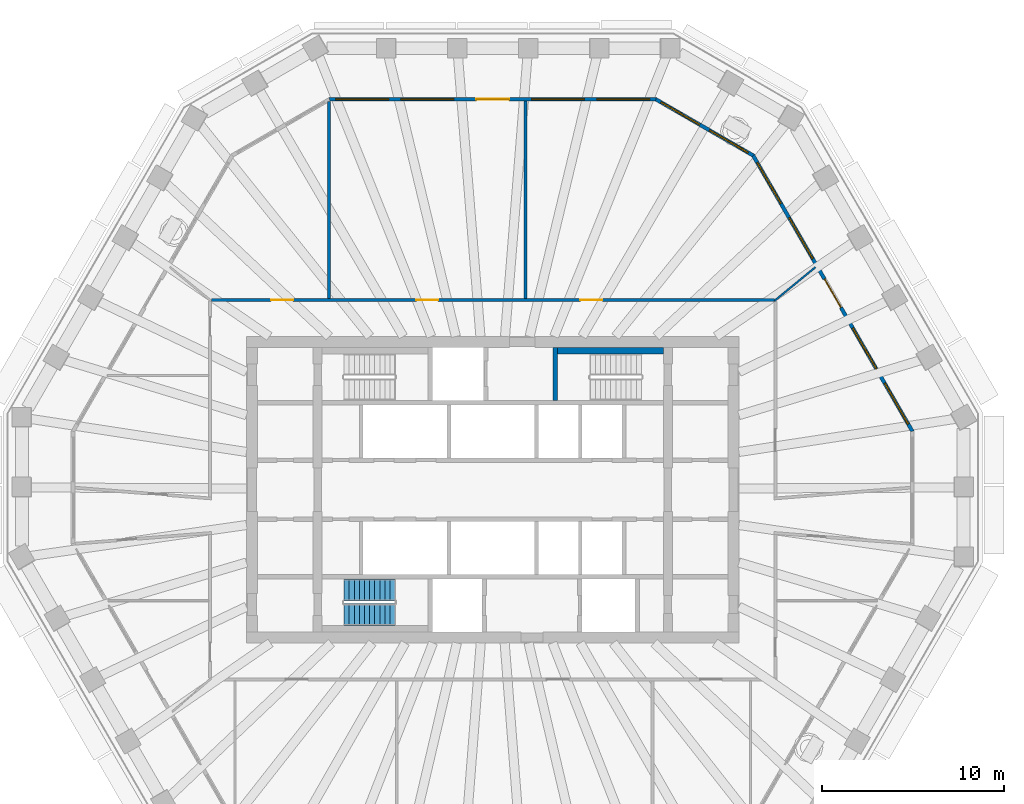
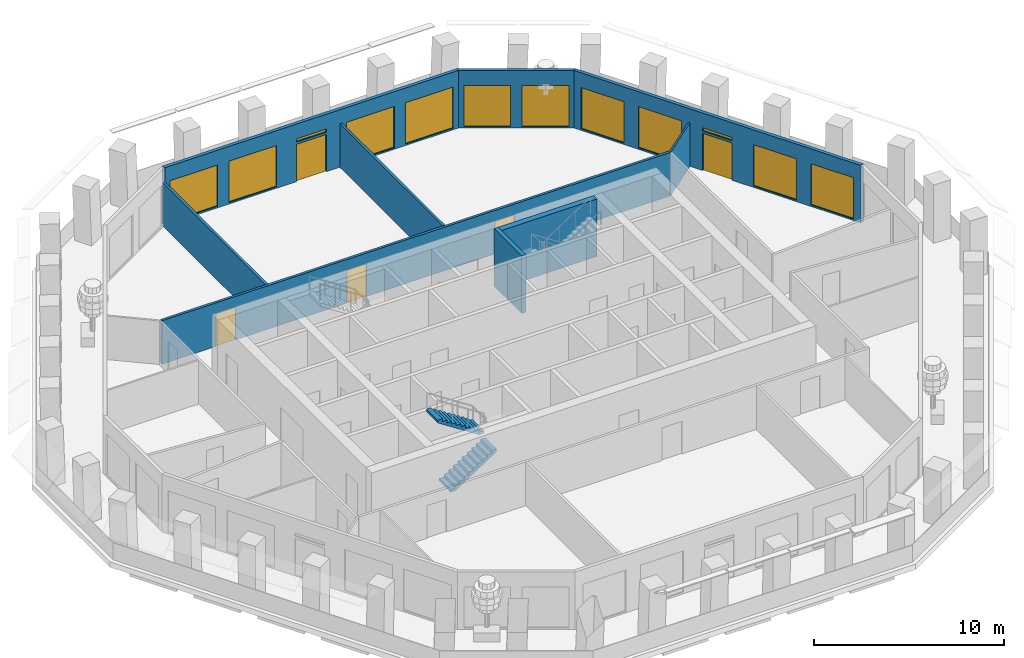
# One storey, part 7 of 12: 12 windows, 9 walls, 5 doors, 2 stair flights, 17 openings, 1 element without a shape of its own.
"""IFC4 building model written with IfcOpenShell, lengths in metres."""

from ifc_helpers import new_model, si_unit, direction, frame, frame_2d, origin, place, context, subcontext, project, spatial, polyline, rectangle, outline, extrude, material, layer, layer_set, type_object, element, fill, aggregate, save


model = new_model("IFC4")

# Units and contexts
model_context = context("Model", 3, precision=1e-05, world=origin(), true_north=direction((0.0, 1.0)))
body_context = subcontext(model_context, "Body", "Model", "MODEL_VIEW")
ifc_project = project(units=[si_unit("LENGTHUNIT", "METRE"), si_unit("AREAUNIT", "SQUARE_METRE"), si_unit("VOLUMEUNIT", "CUBIC_METRE"), si_unit("PLANEANGLEUNIT", "RADIAN"), si_unit("MASSUNIT", "GRAM", prefix="KILO")], contexts=[model_context])

# Site, building, storey
site_placement = place(None, origin())
site = spatial("IfcSite", under=ifc_project, at=site_placement, CompositionType="ELEMENT")
building_placement = place(site_placement, origin())
building = spatial("IfcBuilding", under=site, at=building_placement, Name="Frailejon Research Tower", CompositionType="ELEMENT")
storey_placement = place(building_placement, frame((0.0, 0.0, 215.39990234375)))
storey = spatial("IfcBuildingStorey", under=building, at=storey_placement, Name="L46", CompositionType="ELEMENT", Elevation=215.39990234375)

# Wall, openings, doors
ifc_material_1 = material(Name="Gypsum board and masonry partition", Category="masonry")
ifc_layer_1 = layer(ifc_material_1, 0.14990234375)
ifc_layer_set_1 = layer_set([ifc_layer_1], Name="Corridor wall EI 60, gypsum on steel studs 150")
wall_type_1 = type_object("IfcWallType", Name="Corridor wall EI 60, gypsum on steel studs 150", PredefinedType="PARTITIONING", material=ifc_layer_set_1)
wall_1_placement = place(storey_placement, frame((-15.425048828125, 10.39990234375, 0.0), z_axis=(0.0, 0.0, 1.0), x_axis=(1.0, 0.0, 0.0)))
wall_1 = element("IfcWall", 1, at=wall_1_placement, inside=storey, type_object=wall_type_1, Name="T:IW:L46:003", PredefinedType="PARTITIONING", context=body_context, shape_type="SweptSolid", body=[
    extrude(rectangle(XDim=30.875, YDim=0.14990234375, at=frame_2d((15.4375, 0.0))), origin(), (0.0, 0.0, 1.0), 2.800048828125),
])
opening_1_placement = place(wall_1_placement, frame((20.233642578125, 0.0, 0.0)))
opening_1 = element("IfcOpeningElement", 2, at=opening_1_placement, cuts=wall_1, Name="Opening D1949", PredefinedType="OPENING", context=body_context, shape_type="SweptSolid", body=[
    extrude(rectangle(XDim=1.199951171875, YDim=2.10009765625, at=frame_2d((0.60009765625, 1.050048828125))), frame((0.0, 0.0849609375, 0.0), z_axis=(0.0, -1.0, 0.0), x_axis=(1.0, 0.0, 0.0)), (0.0, 0.0, 1.0), 0.169921875),
])
opening_2_placement = place(wall_1_placement, frame((11.235107421875, 0.0, 0.0)))
opening_2 = element("IfcOpeningElement", 3, at=opening_2_placement, cuts=wall_1, Name="Opening D1950", PredefinedType="OPENING", context=body_context, shape_type="SweptSolid", body=[
    extrude(rectangle(XDim=1.199951171875, YDim=2.10009765625, at=frame_2d((0.60009765625, 1.050048828125))), frame((0.0, 0.0849609375, 0.0), z_axis=(0.0, -1.0, 0.0), x_axis=(1.0, 0.0, 0.0)), (0.0, 0.0, 1.0), 0.169921875),
])
opening_3_placement = place(wall_1_placement, frame((3.28125, 0.0, 0.0)))
opening_3 = element("IfcOpeningElement", 4, at=opening_3_placement, cuts=wall_1, Name="Opening D1951", PredefinedType="OPENING", context=body_context, shape_type="SweptSolid", body=[
    extrude(rectangle(XDim=1.199951171875, YDim=2.10009765625, at=frame_2d((0.60009765625, 1.050048828125))), frame((0.0, 0.0849609375, 0.0), z_axis=(0.0, -1.0, 0.0), x_axis=(1.0, 0.0, 0.0)), (0.0, 0.0, 1.0), 0.169921875),
])
ifc_material_2 = material(Name="Timber door leaf", Category="wood")
door_type_1 = type_object("IfcDoorType", Name="Door laboratory, timber, vision panel 1200", OperationType="NOTDEFINED", PredefinedType="DOOR", material=ifc_material_2)
door_1_placement = place(opening_2_placement, origin())
door_1 = element("IfcDoor", 5, at=door_1_placement, inside=storey, type_object=door_type_1, Name="D1950", OperationType="DOUBLE_DOOR_SINGLE_SWING", OverallHeight=2.10009765625, OverallWidth=1.199951171875, PredefinedType="DOOR", context=body_context, shape_type="SweptSolid", body=[
    extrude(rectangle(XDim=1.199951171875, YDim=2.10009765625, at=frame_2d((0.60009765625, 1.050048828125))), frame((0.0, 0.02490234375, 0.0), z_axis=(0.0, -1.0, 0.0), x_axis=(1.0, 0.0, 0.0)), (0.0, 0.0, 1.0), 0.050048828125),
])
fill(opening_2, door_1)
ifc_material_3 = material(Name="Timber door leaf", Category="wood")
door_type_2 = type_object("IfcDoorType", Name="Door single leaf, timber, steel frame 1200", OperationType="NOTDEFINED", PredefinedType="DOOR", material=ifc_material_3)
door_2_placement = place(opening_1_placement, origin())
door_2 = element("IfcDoor", 6, at=door_2_placement, inside=storey, type_object=door_type_2, Name="D1949", OperationType="DOUBLE_DOOR_SINGLE_SWING", OverallHeight=2.10009765625, OverallWidth=1.199951171875, PredefinedType="DOOR", context=body_context, shape_type="SweptSolid", body=[
    extrude(rectangle(XDim=1.199951171875, YDim=2.10009765625, at=frame_2d((0.60009765625, 1.050048828125))), frame((0.0, 0.02490234375, 0.0), z_axis=(0.0, -1.0, 0.0), x_axis=(1.0, 0.0, 0.0)), (0.0, 0.0, 1.0), 0.050048828125),
])
fill(opening_1, door_2)
door_3_placement = place(opening_3_placement, origin())
door_3 = element("IfcDoor", 7, at=door_3_placement, inside=storey, type_object=door_type_2, Name="D1951", OperationType="DOUBLE_DOOR_SINGLE_SWING", OverallHeight=2.10009765625, OverallWidth=1.199951171875, PredefinedType="DOOR", context=body_context, shape_type="SweptSolid", body=[
    extrude(rectangle(XDim=1.199951171875, YDim=2.10009765625, at=frame_2d((0.60009765625, 1.050048828125))), frame((0.0, 0.02490234375, 0.0), z_axis=(0.0, -1.0, 0.0), x_axis=(1.0, 0.0, 0.0)), (0.0, 0.0, 1.0), 0.050048828125),
])
fill(opening_3, door_3)

# Walls
ifc_material_4 = material(Name="Gypsum board and masonry partition", Category="masonry")
ifc_layer_2 = layer(ifc_material_4, 0.14990234375)
ifc_layer_set_2 = layer_set([ifc_layer_2], Name="Laboratory partition, blockwork 150")
wall_type_2 = type_object("IfcWallType", Name="Laboratory partition, blockwork 150", PredefinedType="PARTITIONING", material=ifc_layer_set_2)
wall_2_placement = place(storey_placement, frame((1.794921875, 10.47509765625, 0.0), z_axis=(0.0, 0.0, 1.0), x_axis=(0.0, 1.0, 0.0)))
element("IfcWall", 8, at=wall_2_placement, inside=storey, type_object=wall_type_2, Name="T:IW:L46:011", PredefinedType="PARTITIONING", context=body_context, shape_type="SweptSolid", body=[
    extrude(rectangle(XDim=10.824951171875, YDim=0.14990234375, at=frame_2d((5.41259765625, 0.0))), origin(), (0.0, 0.0, 1.0), 2.800048828125),
])
wall_3_placement = place(storey_placement, frame((-8.974853515625, 10.47509765625, 0.0), z_axis=(0.0, 0.0, 1.0), x_axis=(0.0, 1.0, 0.0)))
element("IfcWall", 9, at=wall_3_placement, inside=storey, type_object=wall_type_2, Name="T:IW:L46:012", PredefinedType="PARTITIONING", context=body_context, shape_type="SweptSolid", body=[
    extrude(rectangle(XDim=10.7939453125, YDim=0.14990234375, at=frame_2d((5.39697265625, 0.0))), origin(), (0.0, 0.0, 1.0), 2.800048828125),
])
ifc_material_5 = material(Name="Gypsum board and masonry partition", Category="masonry")
ifc_layer_3 = layer(ifc_material_5, 0.10009765625)
ifc_layer_set_3 = layer_set([ifc_layer_3], Name="Partition, gypsum on steel studs 100")
wall_type_3 = type_object("IfcWallType", Name="Partition, gypsum on steel studs 100", PredefinedType="PARTITIONING", material=ifc_layer_set_3)
wall_4_placement = place(storey_placement, frame((15.44189453125, 10.352294921875, 0.0), z_axis=(0.0, 0.0, 1.0), x_axis=(0.773188128528, 0.634176724504, 0.0)))
element("IfcWall", 10, at=wall_4_placement, inside=storey, type_object=wall_type_3, Name="T:IW:L46:015", PredefinedType="PARTITIONING", context=body_context, shape_type="SweptSolid", body=[
    extrude(rectangle(XDim=2.915283203125, YDim=0.10009765625, at=frame_2d((1.45751953125, 0.0))), origin(), (0.0, 0.0, 1.0), 2.800048828125),
])
ifc_material_6 = material(Name="Concrete C60/75", Category="concrete")
ifc_layer_4 = layer(ifc_material_6, 0.25)
ifc_layer_set_4 = layer_set([ifc_layer_4], Name="Shaft wall 250 C60/75")
wall_type_4 = type_object("IfcWallType", Name="Shaft wall 250 C60/75", PredefinedType="SOLIDWALL", material=ifc_layer_set_4)
wall_5_placement = place(storey_placement, frame((3.425048828125, 4.89990234375, 0.0), z_axis=(0.0, 0.0, 1.0), x_axis=(0.0, 1.0, 0.0)))
element("IfcWall", 11, at=wall_5_placement, inside=storey, type_object=wall_type_4, Name="Shaft wall", PredefinedType="SOLIDWALL", context=body_context, shape_type="SweptSolid", body=[
    extrude(rectangle(XDim=2.900146484375, YDim=0.25, at=frame_2d((1.4501953125, 0.0))), origin(), (0.0, 0.0, 1.0), 3.7001953125),
])
ifc_material_7 = material(Name="Concrete C60/75", Category="concrete")
ifc_layer_5 = layer(ifc_material_7, 0.35009765625)
ifc_layer_set_5 = layer_set([ifc_layer_5], Name="Shaft wall 350 C60/75")
wall_type_5 = type_object("IfcWallType", Name="Shaft wall 350 C60/75", PredefinedType="SOLIDWALL", material=ifc_layer_set_5)
wall_6_placement = place(storey_placement, frame((3.550048828125, 7.625, 0.0), z_axis=(0.0, 0.0, 1.0), x_axis=(1.0, 0.0, 0.0)))
element("IfcWall", 12, at=wall_6_placement, inside=storey, type_object=wall_type_5, Name="Shaft wall", PredefinedType="SOLIDWALL", context=body_context, shape_type="SweptSolid", body=[
    extrude(rectangle(XDim=5.800048828125, YDim=0.35009765625, at=frame_2d((2.89990234375, 0.0))), origin(), (0.0, 0.0, 1.0), 3.7001953125),
])

# Wall, openings, door, windows
ifc_material_8 = material(Name="Concrete C40/50 precast window wall panel", Category="concrete")
ifc_layer_6 = layer(ifc_material_8, 0.199951171875)
ifc_layer_set_6 = layer_set([ifc_layer_6], Name="Window wall 200")
wall_type_6 = type_object("IfcWallType", Name="Window wall 200", PredefinedType="SOLIDWALL", material=ifc_layer_set_6)
wall_7_placement = place(storey_placement, frame((23.007080078125, 3.2021484375, 0.0), z_axis=(0.0, 0.0, 1.0), x_axis=(-0.500006883229, 0.866021429714, 0.0)))
wall_7 = element("IfcWall", 13, at=wall_7_placement, inside=storey, type_object=wall_type_6, Name="Exterior wall L46", PredefinedType="SOLIDWALL", context=body_context, shape_type="SweptSolid", body=[
    extrude(outline(polyline([(-0.02685546875, -0.10009765625), (1.00341796875, -0.10009765625), (2.03369140625, -0.10009765625), (3.06396484375, -0.10009765625), (4.09423828125, -0.10009765625), (5.12451171875, -0.10009765625), (6.15478515625, -0.10009765625), (7.18505859375, -0.10009765625), (8.21533203125, -0.10009765625), (9.245361328125, -0.10009765625), (10.275634765625, -0.10009765625), (11.305908203125, -0.10009765625), (12.336181640625, -0.10009765625), (13.366455078125, -0.10009765625), (14.396728515625, -0.10009765625), (15.427001953125, -0.10009765625), (16.457275390625, -0.10009765625), (17.487548828125, -0.10009765625), (17.433837890625, 0.10009765625), (16.409912109375, 0.10009765625), (15.385986328125, 0.10009765625), (14.362060546875, 0.10009765625), (13.338134765625, 0.10009765625), (12.314208984375, 0.10009765625), (11.290283203125, 0.10009765625), (10.266357421875, 0.10009765625), (9.242431640625, 0.10009765625), (8.21826171875, 0.10009765625), (7.1943359375, 0.10009765625), (6.17041015625, 0.10009765625), (5.146484375, 0.10009765625), (4.12255859375, 0.10009765625), (3.0986328125, 0.10009765625), (2.07470703125, 0.10009765625), (1.05078125, 0.10009765625), (0.02685546875, 0.10009765625), (-0.02685546875, -0.10009765625)])), origin(), (0.0, 0.0, 1.0), 3.7001953125),
])
opening_4_placement = place(wall_7_placement, frame((0.446044921875, 0.0, 0.10009765625)))
opening_4 = element("IfcOpeningElement", 14, at=opening_4_placement, cuts=wall_7, Name="Opening W18", PredefinedType="OPENING", context=body_context, shape_type="SweptSolid", body=[
    extrude(rectangle(XDim=2.60009765625, YDim=2.64990234375, at=frame_2d((1.300048828125, 1.324951171875))), frame((0.0, 0.10986328125, 0.0), z_axis=(0.0, -1.0, 0.0), x_axis=(1.0, 0.0, 0.0)), (0.0, 0.0, 1.0), 0.219970703125),
])
opening_5_placement = place(wall_7_placement, frame((3.938232421875, 0.0, 0.10009765625)))
opening_5 = element("IfcOpeningElement", 15, at=opening_5_placement, cuts=wall_7, Name="Opening W18", PredefinedType="OPENING", context=body_context, shape_type="SweptSolid", body=[
    extrude(rectangle(XDim=2.60009765625, YDim=2.64990234375, at=frame_2d((1.300048828125, 1.324951171875))), frame((0.0, 0.10986328125, 0.0), z_axis=(0.0, -1.0, 0.0), x_axis=(1.0, 0.0, 0.0)), (0.0, 0.0, 1.0), 0.219970703125),
])
opening_6_placement = place(wall_7_placement, frame((7.830322265625, 0.0, 0.0)))
opening_6 = element("IfcOpeningElement", 16, at=opening_6_placement, cuts=wall_7, Name="Opening LG46-1", PredefinedType="OPENING", context=body_context, shape_type="SweptSolid", body=[
    extrude(rectangle(XDim=1.800048828125, YDim=2.39990234375, at=frame_2d((0.89990234375, 1.199951171875))), frame((0.0, 0.10986328125, 0.0), z_axis=(0.0, -1.0, 0.0), x_axis=(1.0, 0.0, 0.0)), (0.0, 0.0, 1.0), 0.219970703125),
])
opening_7_placement = place(wall_7_placement, frame((7.830322265625, 0.0, 2.550048828125)))
opening_7 = element("IfcOpeningElement", 17, at=opening_7_placement, cuts=wall_7, Name="Opening W19", PredefinedType="OPENING", context=body_context, shape_type="SweptSolid", body=[
    extrude(rectangle(XDim=1.800048828125, YDim=0.199951171875, at=frame_2d((0.89990234375, 0.10009765625))), frame((0.0, 0.10986328125, 0.0), z_axis=(0.0, -1.0, 0.0), x_axis=(1.0, 0.0, 0.0)), (0.0, 0.0, 1.0), 0.219970703125),
])
opening_8_placement = place(wall_7_placement, frame((10.922607421875, 0.0, 0.10009765625)))
opening_8 = element("IfcOpeningElement", 18, at=opening_8_placement, cuts=wall_7, Name="Opening W18", PredefinedType="OPENING", context=body_context, shape_type="SweptSolid", body=[
    extrude(rectangle(XDim=2.60009765625, YDim=2.64990234375, at=frame_2d((1.300048828125, 1.324951171875))), frame((0.0, 0.10986328125, 0.0), z_axis=(0.0, -1.0, 0.0), x_axis=(1.0, 0.0, 0.0)), (0.0, 0.0, 1.0), 0.219970703125),
])
opening_9_placement = place(wall_7_placement, frame((14.41455078125, 0.0, 0.10009765625)))
opening_9 = element("IfcOpeningElement", 19, at=opening_9_placement, cuts=wall_7, Name="Opening W18", PredefinedType="OPENING", context=body_context, shape_type="SweptSolid", body=[
    extrude(rectangle(XDim=2.60009765625, YDim=2.64990234375, at=frame_2d((1.300048828125, 1.324951171875))), frame((0.0, 0.10986328125, 0.0), z_axis=(0.0, -1.0, 0.0), x_axis=(1.0, 0.0, 0.0)), (0.0, 0.0, 1.0), 0.219970703125),
])
ifc_material_9 = material(Name="Aluminium framed glazed door leaf", Category="aluminium")
door_type_3 = type_object("IfcDoorType", Name="Loggia door 1800x2400", OperationType="DOUBLE_DOOR_SINGLE_SWING", PredefinedType="DOOR", material=ifc_material_9)
door_4_placement = place(opening_6_placement, origin())
door_4 = element("IfcDoor", 20, at=door_4_placement, inside=storey, type_object=door_type_3, Name="Door LG46-1", OperationType="DOUBLE_DOOR_SINGLE_SWING", OverallHeight=2.39990234375, OverallWidth=1.800048828125, PredefinedType="DOOR", context=body_context, shape_type="SweptSolid", body=[
    extrude(rectangle(XDim=1.800048828125, YDim=2.39990234375, at=frame_2d((0.89990234375, 1.199951171875))), frame((0.0, 0.02490234375, 0.0), z_axis=(0.0, -1.0, 0.0), x_axis=(1.0, 0.0, 0.0)), (0.0, 0.0, 1.0), 0.050048828125),
])
fill(opening_6, door_4)
ifc_material_10 = material(Name="Aluminium framed double glazing", Category="aluminium")
window_type_1 = type_object("IfcWindowType", Name="Window 1800x200", PartitioningType="SINGLE_PANEL", PredefinedType="WINDOW", material=ifc_material_10)
window_1_placement = place(opening_7_placement, origin())
window_1 = element("IfcWindow", 21, at=window_1_placement, inside=storey, type_object=window_type_1, Name="Window L46", OverallHeight=0.199951171875, OverallWidth=1.800048828125, PartitioningType="SINGLE_PANEL", PredefinedType="WINDOW", context=body_context, shape_type="SweptSolid", body=[
    extrude(rectangle(XDim=1.800048828125, YDim=0.199951171875, at=frame_2d((0.89990234375, 0.10009765625))), frame((0.0, 0.030029296875, 0.0), z_axis=(0.0, -1.0, 0.0), x_axis=(1.0, 0.0, 0.0)), (0.0, 0.0, 1.0), 0.06005859375),
])
fill(opening_7, window_1)
ifc_material_11 = material(Name="Aluminium framed double glazing", Category="aluminium")
window_type_2 = type_object("IfcWindowType", Name="Window 2600x2650", PartitioningType="SINGLE_PANEL", PredefinedType="WINDOW", material=ifc_material_11)
window_2_placement = place(opening_4_placement, origin())
window_2 = element("IfcWindow", 22, at=window_2_placement, inside=storey, type_object=window_type_2, Name="Window L46", OverallHeight=2.64990234375, OverallWidth=2.60009765625, PartitioningType="SINGLE_PANEL", PredefinedType="WINDOW", context=body_context, shape_type="SweptSolid", body=[
    extrude(rectangle(XDim=2.60009765625, YDim=2.64990234375, at=frame_2d((1.300048828125, 1.324951171875))), frame((0.0, 0.030029296875, 0.0), z_axis=(0.0, -1.0, 0.0), x_axis=(1.0, 0.0, 0.0)), (0.0, 0.0, 1.0), 0.06005859375),
])
fill(opening_4, window_2)
window_3_placement = place(opening_5_placement, origin())
window_3 = element("IfcWindow", 23, at=window_3_placement, inside=storey, type_object=window_type_2, Name="Window L46", OverallHeight=2.64990234375, OverallWidth=2.60009765625, PartitioningType="SINGLE_PANEL", PredefinedType="WINDOW", context=body_context, shape_type="SweptSolid", body=[
    extrude(rectangle(XDim=2.60009765625, YDim=2.64990234375, at=frame_2d((1.300048828125, 1.324951171875))), frame((0.0, 0.030029296875, 0.0), z_axis=(0.0, -1.0, 0.0), x_axis=(1.0, 0.0, 0.0)), (0.0, 0.0, 1.0), 0.06005859375),
])
fill(opening_5, window_3)
window_4_placement = place(opening_8_placement, origin())
window_4 = element("IfcWindow", 24, at=window_4_placement, inside=storey, type_object=window_type_2, Name="Window L46", OverallHeight=2.64990234375, OverallWidth=2.60009765625, PartitioningType="SINGLE_PANEL", PredefinedType="WINDOW", context=body_context, shape_type="SweptSolid", body=[
    extrude(rectangle(XDim=2.60009765625, YDim=2.64990234375, at=frame_2d((1.300048828125, 1.324951171875))), frame((0.0, 0.030029296875, 0.0), z_axis=(0.0, -1.0, 0.0), x_axis=(1.0, 0.0, 0.0)), (0.0, 0.0, 1.0), 0.06005859375),
])
fill(opening_8, window_4)
window_5_placement = place(opening_9_placement, origin())
window_5 = element("IfcWindow", 25, at=window_5_placement, inside=storey, type_object=window_type_2, Name="Window L46", OverallHeight=2.64990234375, OverallWidth=2.60009765625, PartitioningType="SINGLE_PANEL", PredefinedType="WINDOW", context=body_context, shape_type="SweptSolid", body=[
    extrude(rectangle(XDim=2.60009765625, YDim=2.64990234375, at=frame_2d((1.300048828125, 1.324951171875))), frame((0.0, 0.030029296875, 0.0), z_axis=(0.0, -1.0, 0.0), x_axis=(1.0, 0.0, 0.0)), (0.0, 0.0, 1.0), 0.06005859375),
])
fill(opening_9, window_5)

# Wall, openings, windows
wall_8_placement = place(storey_placement, frame((14.276611328125, 18.323486328125, 0.0), z_axis=(0.0, 0.0, 1.0), x_axis=(-0.866029647142, 0.499992650217, 0.0)))
wall_8 = element("IfcWall", 26, at=wall_8_placement, inside=storey, type_object=wall_type_6, Name="Exterior wall L46", PredefinedType="SOLIDWALL", context=body_context, shape_type="SweptSolid", body=[
    extrude(outline(polyline([(-0.02685546875, -0.10009765625), (1.007568359375, -0.10009765625), (2.0419921875, -0.10009765625), (3.076416015625, -0.10009765625), (4.11083984375, -0.10009765625), (5.145263671875, -0.10009765625), (6.1796875, -0.10009765625), (6.1259765625, 0.10009765625), (5.109375, 0.10009765625), (4.093017578125, 0.10009765625), (3.076416015625, 0.10009765625), (2.059814453125, 0.10009765625), (1.04345703125, 0.10009765625), (0.02685546875, 0.10009765625), (-0.02685546875, -0.10009765625)])), origin(), (0.0, 0.0, 1.0), 3.7001953125),
])
opening_10_placement = place(wall_8_placement, frame((0.313232421875, 0.0, 0.10009765625)))
opening_10 = element("IfcOpeningElement", 27, at=opening_10_placement, cuts=wall_8, Name="Opening W17", PredefinedType="OPENING", context=body_context, shape_type="SweptSolid", body=[
    extrude(rectangle(XDim=2.449951171875, YDim=2.64990234375, at=frame_2d((1.22509765625, 1.324951171875))), frame((0.0, 0.10986328125, 0.0), z_axis=(0.0, -1.0, 0.0), x_axis=(1.0, 0.0, 0.0)), (0.0, 0.0, 1.0), 0.219970703125),
])
opening_11_placement = place(wall_8_placement, frame((3.3896484375, 0.0, 0.10009765625)))
opening_11 = element("IfcOpeningElement", 28, at=opening_11_placement, cuts=wall_8, Name="Opening W17", PredefinedType="OPENING", context=body_context, shape_type="SweptSolid", body=[
    extrude(rectangle(XDim=2.449951171875, YDim=2.64990234375, at=frame_2d((1.22509765625, 1.324951171875))), frame((0.0, 0.10986328125, 0.0), z_axis=(0.0, -1.0, 0.0), x_axis=(1.0, 0.0, 0.0)), (0.0, 0.0, 1.0), 0.219970703125),
])
ifc_material_12 = material(Name="Aluminium framed double glazing", Category="aluminium")
window_type_3 = type_object("IfcWindowType", Name="Window 2450x2650", PartitioningType="SINGLE_PANEL", PredefinedType="WINDOW", material=ifc_material_12)
window_6_placement = place(opening_10_placement, origin())
window_6 = element("IfcWindow", 29, at=window_6_placement, inside=storey, type_object=window_type_3, Name="Window L46", OverallHeight=2.64990234375, OverallWidth=2.449951171875, PartitioningType="SINGLE_PANEL", PredefinedType="WINDOW", context=body_context, shape_type="SweptSolid", body=[
    extrude(rectangle(XDim=2.449951171875, YDim=2.64990234375, at=frame_2d((1.22509765625, 1.324951171875))), frame((0.0, 0.030029296875, 0.0), z_axis=(0.0, -1.0, 0.0), x_axis=(1.0, 0.0, 0.0)), (0.0, 0.0, 1.0), 0.06005859375),
])
fill(opening_10, window_6)
window_7_placement = place(opening_11_placement, origin())
window_7 = element("IfcWindow", 30, at=window_7_placement, inside=storey, type_object=window_type_3, Name="Window L46", OverallHeight=2.64990234375, OverallWidth=2.449951171875, PartitioningType="SINGLE_PANEL", PredefinedType="WINDOW", context=body_context, shape_type="SweptSolid", body=[
    extrude(rectangle(XDim=2.449951171875, YDim=2.64990234375, at=frame_2d((1.22509765625, 1.324951171875))), frame((0.0, 0.030029296875, 0.0), z_axis=(0.0, -1.0, 0.0), x_axis=(1.0, 0.0, 0.0)), (0.0, 0.0, 1.0), 0.06005859375),
])
fill(opening_11, window_7)

# Wall, openings, door, windows
wall_9_placement = place(storey_placement, frame((8.947998046875, 21.39990234375, 0.0), z_axis=(0.0, 0.0, 1.0), x_axis=(-1.0, 0.0, 0.0)))
wall_9 = element("IfcWall", 31, at=wall_9_placement, inside=storey, type_object=wall_type_6, Name="Exterior wall L46", PredefinedType="SOLIDWALL", context=body_context, shape_type="SweptSolid", body=[
    extrude(outline(polyline([(-0.02685546875, -0.10009765625), (1.029052734375, -0.10009765625), (2.0849609375, -0.10009765625), (3.140625, -0.10009765625), (4.196533203125, -0.10009765625), (5.25244140625, -0.10009765625), (6.308349609375, -0.10009765625), (7.3642578125, -0.10009765625), (8.420166015625, -0.10009765625), (9.475830078125, -0.10009765625), (10.53173828125, -0.10009765625), (11.587646484375, -0.10009765625), (12.6435546875, -0.10009765625), (13.699462890625, -0.10009765625), (14.75537109375, -0.10009765625), (15.81103515625, -0.10009765625), (16.866943359375, -0.10009765625), (17.9228515625, -0.10009765625), (17.869140625, 0.10009765625), (16.819580078125, 0.10009765625), (15.77001953125, 0.10009765625), (14.720458984375, 0.10009765625), (13.6708984375, 0.10009765625), (12.621337890625, 0.10009765625), (11.57177734375, 0.10009765625), (10.522216796875, 0.10009765625), (9.47265625, 0.10009765625), (8.42333984375, 0.10009765625), (7.373779296875, 0.10009765625), (6.32421875, 0.10009765625), (5.274658203125, 0.10009765625), (4.22509765625, 0.10009765625), (3.175537109375, 0.10009765625), (2.1259765625, 0.10009765625), (1.076416015625, 0.10009765625), (0.02685546875, 0.10009765625), (-0.02685546875, -0.10009765625)])), origin(), (0.0, 0.0, 1.0), 3.7001953125),
])
opening_12_placement = place(wall_9_placement, frame((0.339599609375, 0.0, 0.10009765625)))
opening_12 = element("IfcOpeningElement", 32, at=opening_12_placement, cuts=wall_9, Name="Opening W20", PredefinedType="OPENING", context=body_context, shape_type="SweptSolid", body=[
    extrude(rectangle(XDim=2.89990234375, YDim=2.64990234375, at=frame_2d((1.449951171875, 1.324951171875))), frame((0.0, 0.10986328125, 0.0), z_axis=(0.0, -1.0, 0.0), x_axis=(1.0, 0.0, 0.0)), (0.0, 0.0, 1.0), 0.219970703125),
])
opening_13_placement = place(wall_9_placement, frame((3.918701171875, 0.0, 0.10009765625)))
opening_13 = element("IfcOpeningElement", 33, at=opening_13_placement, cuts=wall_9, Name="Opening W20", PredefinedType="OPENING", context=body_context, shape_type="SweptSolid", body=[
    extrude(rectangle(XDim=2.89990234375, YDim=2.64990234375, at=frame_2d((1.449951171875, 1.324951171875))), frame((0.0, 0.10986328125, 0.0), z_axis=(0.0, -1.0, 0.0), x_axis=(1.0, 0.0, 0.0)), (0.0, 0.0, 1.0), 0.219970703125),
])
opening_14_placement = place(wall_9_placement, frame((8.048095703125, 0.0, 0.0)))
opening_14 = element("IfcOpeningElement", 34, at=opening_14_placement, cuts=wall_9, Name="Opening LG46-2", PredefinedType="OPENING", context=body_context, shape_type="SweptSolid", body=[
    extrude(rectangle(XDim=1.800048828125, YDim=2.39990234375, at=frame_2d((0.89990234375, 1.199951171875))), frame((0.0, 0.10986328125, 0.0), z_axis=(0.0, -1.0, 0.0), x_axis=(1.0, 0.0, 0.0)), (0.0, 0.0, 1.0), 0.219970703125),
])
opening_15_placement = place(wall_9_placement, frame((8.048095703125, 0.0, 2.550048828125)))
opening_15 = element("IfcOpeningElement", 35, at=opening_15_placement, cuts=wall_9, Name="Opening W19", PredefinedType="OPENING", context=body_context, shape_type="SweptSolid", body=[
    extrude(rectangle(XDim=1.800048828125, YDim=0.199951171875, at=frame_2d((0.89990234375, 0.10009765625))), frame((0.0, 0.10986328125, 0.0), z_axis=(0.0, -1.0, 0.0), x_axis=(1.0, 0.0, 0.0)), (0.0, 0.0, 1.0), 0.219970703125),
])
opening_16_placement = place(wall_9_placement, frame((11.077392578125, 0.0, 0.10009765625)))
opening_16 = element("IfcOpeningElement", 36, at=opening_16_placement, cuts=wall_9, Name="Opening W20", PredefinedType="OPENING", context=body_context, shape_type="SweptSolid", body=[
    extrude(rectangle(XDim=2.89990234375, YDim=2.64990234375, at=frame_2d((1.449951171875, 1.324951171875))), frame((0.0, 0.10986328125, 0.0), z_axis=(0.0, -1.0, 0.0), x_axis=(1.0, 0.0, 0.0)), (0.0, 0.0, 1.0), 0.219970703125),
])
opening_17_placement = place(wall_9_placement, frame((14.656494140625, 0.0, 0.10009765625)))
opening_17 = element("IfcOpeningElement", 37, at=opening_17_placement, cuts=wall_9, Name="Opening W20", PredefinedType="OPENING", context=body_context, shape_type="SweptSolid", body=[
    extrude(rectangle(XDim=2.89990234375, YDim=2.64990234375, at=frame_2d((1.449951171875, 1.324951171875))), frame((0.0, 0.10986328125, 0.0), z_axis=(0.0, -1.0, 0.0), x_axis=(1.0, 0.0, 0.0)), (0.0, 0.0, 1.0), 0.219970703125),
])
door_5_placement = place(opening_14_placement, origin())
door_5 = element("IfcDoor", 38, at=door_5_placement, inside=storey, type_object=door_type_3, Name="Door LG46-2", OperationType="DOUBLE_DOOR_SINGLE_SWING", OverallHeight=2.39990234375, OverallWidth=1.800048828125, PredefinedType="DOOR", context=body_context, shape_type="SweptSolid", body=[
    extrude(rectangle(XDim=1.800048828125, YDim=2.39990234375, at=frame_2d((0.89990234375, 1.199951171875))), frame((0.0, 0.02490234375, 0.0), z_axis=(0.0, -1.0, 0.0), x_axis=(1.0, 0.0, 0.0)), (0.0, 0.0, 1.0), 0.050048828125),
])
fill(opening_14, door_5)
window_8_placement = place(opening_15_placement, origin())
window_8 = element("IfcWindow", 39, at=window_8_placement, inside=storey, type_object=window_type_1, Name="Window L46", OverallHeight=0.199951171875, OverallWidth=1.800048828125, PartitioningType="SINGLE_PANEL", PredefinedType="WINDOW", context=body_context, shape_type="SweptSolid", body=[
    extrude(rectangle(XDim=1.800048828125, YDim=0.199951171875, at=frame_2d((0.89990234375, 0.10009765625))), frame((0.0, 0.030029296875, 0.0), z_axis=(0.0, -1.0, 0.0), x_axis=(1.0, 0.0, 0.0)), (0.0, 0.0, 1.0), 0.06005859375),
])
fill(opening_15, window_8)
ifc_material_13 = material(Name="Aluminium framed double glazing", Category="aluminium")
window_type_4 = type_object("IfcWindowType", Name="Window 2900x2650", PartitioningType="SINGLE_PANEL", PredefinedType="WINDOW", material=ifc_material_13)
window_9_placement = place(opening_12_placement, origin())
window_9 = element("IfcWindow", 40, at=window_9_placement, inside=storey, type_object=window_type_4, Name="Window L46", OverallHeight=2.64990234375, OverallWidth=2.89990234375, PartitioningType="SINGLE_PANEL", PredefinedType="WINDOW", context=body_context, shape_type="SweptSolid", body=[
    extrude(rectangle(XDim=2.89990234375, YDim=2.64990234375, at=frame_2d((1.449951171875, 1.324951171875))), frame((0.0, 0.030029296875, 0.0), z_axis=(0.0, -1.0, 0.0), x_axis=(1.0, 0.0, 0.0)), (0.0, 0.0, 1.0), 0.06005859375),
])
fill(opening_12, window_9)
window_10_placement = place(opening_13_placement, origin())
window_10 = element("IfcWindow", 41, at=window_10_placement, inside=storey, type_object=window_type_4, Name="Window L46", OverallHeight=2.64990234375, OverallWidth=2.89990234375, PartitioningType="SINGLE_PANEL", PredefinedType="WINDOW", context=body_context, shape_type="SweptSolid", body=[
    extrude(rectangle(XDim=2.89990234375, YDim=2.64990234375, at=frame_2d((1.449951171875, 1.324951171875))), frame((0.0, 0.030029296875, 0.0), z_axis=(0.0, -1.0, 0.0), x_axis=(1.0, 0.0, 0.0)), (0.0, 0.0, 1.0), 0.06005859375),
])
fill(opening_13, window_10)
window_11_placement = place(opening_16_placement, origin())
window_11 = element("IfcWindow", 42, at=window_11_placement, inside=storey, type_object=window_type_4, Name="Window L46", OverallHeight=2.64990234375, OverallWidth=2.89990234375, PartitioningType="SINGLE_PANEL", PredefinedType="WINDOW", context=body_context, shape_type="SweptSolid", body=[
    extrude(rectangle(XDim=2.89990234375, YDim=2.64990234375, at=frame_2d((1.449951171875, 1.324951171875))), frame((0.0, 0.030029296875, 0.0), z_axis=(0.0, -1.0, 0.0), x_axis=(1.0, 0.0, 0.0)), (0.0, 0.0, 1.0), 0.06005859375),
])
fill(opening_16, window_11)
window_12_placement = place(opening_17_placement, origin())
window_12 = element("IfcWindow", 43, at=window_12_placement, inside=storey, type_object=window_type_4, Name="Window L46", OverallHeight=2.64990234375, OverallWidth=2.89990234375, PartitioningType="SINGLE_PANEL", PredefinedType="WINDOW", context=body_context, shape_type="SweptSolid", body=[
    extrude(rectangle(XDim=2.89990234375, YDim=2.64990234375, at=frame_2d((1.449951171875, 1.324951171875))), frame((0.0, 0.030029296875, 0.0), z_axis=(0.0, -1.0, 0.0), x_axis=(1.0, 0.0, 0.0)), (0.0, 0.0, 1.0), 0.06005859375),
])
fill(opening_17, window_12)

# Stair, stair flights
ifc_material_14 = material(Name="Concrete C50/60", Category="concrete")
stair_type = type_object("IfcStairType", Name="Exit stair 22 risers", PredefinedType="HALF_TURN_STAIR", material=ifc_material_14)
stair_placement = place(storey_placement, origin())
stair = element("IfcStair", 44, at=stair_placement, inside=storey, type_object=stair_type, Name="L46 Exit stair ST2", PredefinedType="HALF_TURN_STAIR")
ifc_material_15 = material(Name="Concrete C50/60", Category="concrete")
ifc_layer_7 = layer(ifc_material_15, 0.14990234375)
ifc_layer_set_7 = layer_set([ifc_layer_7], Name="Stair flight 11 risers")
stair_flight_type = type_object("IfcStairFlightType", Name="Stair flight 11 risers", PredefinedType="STRAIGHT", material=ifc_layer_set_7)
stair_flight_1_placement = place(storey_placement, frame((-8.14990234375, -6.85009765625, 0.0), z_axis=(0.0, 0.0, 1.0), x_axis=(1.0, 0.0, 0.0)))
stair_flight_1 = element("IfcStairFlight", 45, at=stair_flight_1_placement, type_object=stair_flight_type, Name="ST2 flight 1", NumberOfRisers=11, NumberOfTreads=10, PredefinedType="STRAIGHT", RiserHeight=0.181818182, TreadLength=0.28, context=body_context, shape_type="SweptSolid", body=[
    extrude(outline(polyline([(0.0, 0.0), (0.0, 0.181884765625), (0.280029296875, 0.181884765625), (0.280029296875, 0.363525390625), (0.56005859375, 0.363525390625), (0.56005859375, 0.54541015625), (0.840087890625, 0.54541015625), (0.840087890625, 0.727294921875), (1.1201171875, 0.727294921875), (1.1201171875, 0.9091796875), (1.39990234375, 0.9091796875), (1.39990234375, 1.0908203125), (1.679931640625, 1.0908203125), (1.679931640625, 1.272705078125), (1.9599609375, 1.272705078125), (1.9599609375, 1.45458984375), (2.239990234375, 1.45458984375), (2.239990234375, 1.636474609375), (2.52001953125, 1.636474609375), (2.52001953125, 1.818115234375), (2.800048828125, 1.818115234375), (2.800048828125, 2.0), (2.800048828125, 1.639404296875), (0.275146484375, 0.0), (0.0, 0.0)])), frame((0.0, 0.60009765625, 0.0), z_axis=(0.0, -1.0, 0.0), x_axis=(1.0, 0.0, 0.0)), (0.0, 0.0, 1.0), 1.199951171875),
])
stair_flight_2_placement = place(storey_placement, frame((-5.35009765625, -5.5, 2.0), z_axis=(0.0, 0.0, 1.0), x_axis=(-1.0, 0.0, 0.0)))
stair_flight_2 = element("IfcStairFlight", 46, at=stair_flight_2_placement, type_object=stair_flight_type, Name="ST2 flight 2", NumberOfRisers=11, NumberOfTreads=10, PredefinedType="STRAIGHT", RiserHeight=0.181818182, TreadLength=0.28, context=body_context, shape_type="SweptSolid", body=[
    extrude(outline(polyline([(0.0, 0.0), (0.0, 0.181884765625), (0.280029296875, 0.181884765625), (0.280029296875, 0.363525390625), (0.56005859375, 0.363525390625), (0.56005859375, 0.54541015625), (0.840087890625, 0.54541015625), (0.840087890625, 0.727294921875), (1.1201171875, 0.727294921875), (1.1201171875, 0.9091796875), (1.39990234375, 0.9091796875), (1.39990234375, 1.0908203125), (1.679931640625, 1.0908203125), (1.679931640625, 1.272705078125), (1.9599609375, 1.272705078125), (1.9599609375, 1.45458984375), (2.239990234375, 1.45458984375), (2.239990234375, 1.636474609375), (2.52001953125, 1.636474609375), (2.52001953125, 1.818115234375), (2.800048828125, 1.818115234375), (2.800048828125, 2.0), (2.800048828125, 1.639404296875), (0.275146484375, 0.0), (0.0, 0.0)])), frame((0.0, 0.60009765625, 0.0), z_axis=(0.0, -1.0, 0.0), x_axis=(1.0, 0.0, 0.0)), (0.0, 0.0, 1.0), 1.199951171875),
])
aggregate(stair, [stair_flight_1, stair_flight_2])

save(model, "model.ifc")
